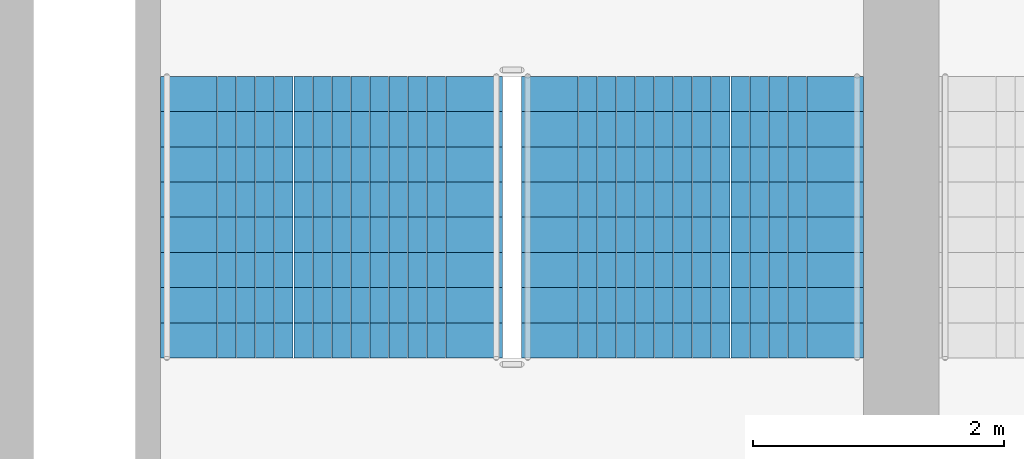
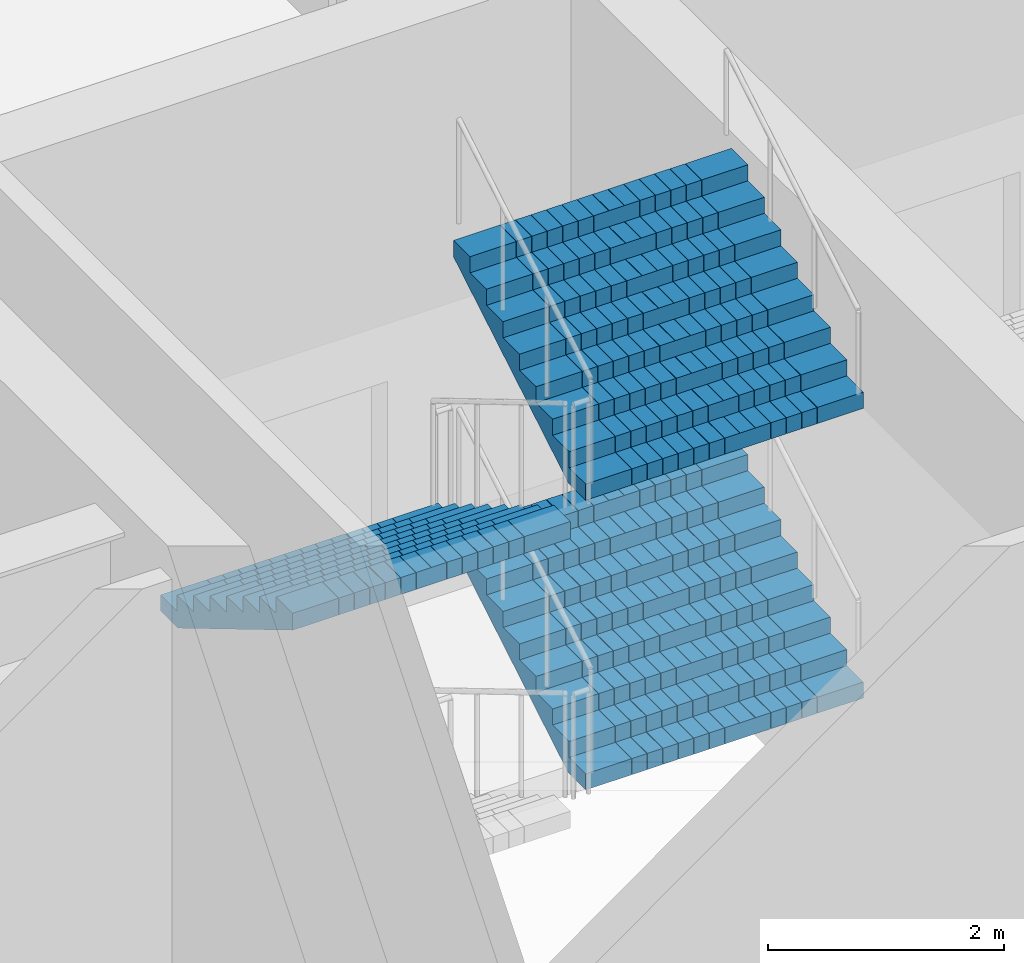
# One storey, part 24 of 41: 3 stair flights, 1 element without a shape of its own.
"""IFC4 building model written with IfcOpenShell, lengths in metres."""

from ifc_helpers import new_model, si_unit, direction, frame, origin, place, context, subcontext, project, spatial, polyline, outline, extrude, material, type_object, element, aggregate, save


model = new_model("IFC4")

# Units and contexts
model_context = context("Model", 3, precision=1e-05, world=origin(), true_north=direction((0.0, 1.0)))
body_context = subcontext(model_context, "Body", "Model", "MODEL_VIEW")
ifc_project = project(units=[si_unit("LENGTHUNIT", "METRE"), si_unit("AREAUNIT", "SQUARE_METRE"), si_unit("VOLUMEUNIT", "CUBIC_METRE"), si_unit("PLANEANGLEUNIT", "RADIAN"), si_unit("MASSUNIT", "GRAM", prefix="KILO")], contexts=[model_context])

# Site, building, storey
site_placement = place(None, origin())
site = spatial("IfcSite", under=ifc_project, at=site_placement, CompositionType="ELEMENT")
building_placement = place(site_placement, origin())
building = spatial("IfcBuilding", under=site, at=building_placement, Name="Corbelhall Arena Tower", CompositionType="ELEMENT")
storey_placement = place(building_placement, frame((0.0, 0.0, 19.0)))
storey = spatial("IfcBuildingStorey", under=building, at=storey_placement, Name="L02", CompositionType="ELEMENT", Elevation=19.0)

# Stair, stair flights
ifc_material = material(Name="Reinforced concrete C40/50", Category="concrete")
stair_type = type_object("IfcStairType", Name="AR-EXIT-STAIR", PredefinedType="HALF_TURN_STAIR", material=ifc_material)
stair_placement = place(storey_placement, origin())
stair = element("IfcStair", 1, at=stair_placement, inside=storey, type_object=stair_type, Name="L02 exit stair AS5", PredefinedType="HALF_TURN_STAIR")
stair_flight_type = type_object("IfcStairFlightType", Name="AR-EXIT-FLIGHT", PredefinedType="STRAIGHT", material=ifc_material)
stair_flight_1_placement = place(storey_placement, frame((38.840087890625, -29.56005859375, 1.5), z_axis=(0.0, 0.0, 1.0), x_axis=(0.0, 1.0, 0.0)))
stair_flight_1 = element("IfcStairFlight", 2, at=stair_flight_1_placement, type_object=stair_flight_type, Name="AS5 flight 2", NumberOfRisers=9, NumberOfTreads=8, PredefinedType="STRAIGHT", RiserHeight=0.166666667, TreadLength=0.28, context=body_context, shape_type="SweptSolid", body=[
    extrude(outline(polyline([(0.0, 0.0), (0.0, 0.166748046875), (0.280029296875, 0.166748046875), (0.280029296875, 0.333251953125), (0.56005859375, 0.333251953125), (0.56005859375, 0.5), (0.840087890625, 0.5), (0.840087890625, 0.666748046875), (1.1201171875, 0.666748046875), (1.1201171875, 0.833251953125), (1.39990234375, 0.833251953125), (1.39990234375, 1.0), (1.679931640625, 1.0), (1.679931640625, 1.166748046875), (1.9599609375, 1.166748046875), (1.9599609375, 1.333251953125), (2.239990234375, 1.333251953125), (2.239990234375, 1.5), (2.239990234375, 1.158935546875), (0.29296875, 0.0), (0.0, 0.0)])), frame((0.0, 1.35986328125, 0.0), z_axis=(0.0, -1.0, 0.0), x_axis=(1.0, 0.0, 0.0)), (0.0, 0.0, 1.0), 0.449951171875),
    extrude(outline(polyline([(0.0, 0.0), (0.0, 0.166748046875), (0.280029296875, 0.166748046875), (0.280029296875, 0.333251953125), (0.56005859375, 0.333251953125), (0.56005859375, 0.5), (0.840087890625, 0.5), (0.840087890625, 0.666748046875), (1.1201171875, 0.666748046875), (1.1201171875, 0.833251953125), (1.39990234375, 0.833251953125), (1.39990234375, 1.0), (1.679931640625, 1.0), (1.679931640625, 1.166748046875), (1.9599609375, 1.166748046875), (1.9599609375, 1.333251953125), (2.239990234375, 1.333251953125), (2.239990234375, 1.5), (2.239990234375, 1.158935546875), (0.29296875, 0.0), (0.0, 0.0)])), frame((0.0, 0.906005859375, 0.0), z_axis=(0.0, -1.0, 0.0), x_axis=(1.0, 0.0, 0.0)), (0.0, 0.0, 1.0), 0.147216796875),
    extrude(outline(polyline([(0.0, 0.0), (0.0, 0.166748046875), (0.280029296875, 0.166748046875), (0.280029296875, 0.333251953125), (0.56005859375, 0.333251953125), (0.56005859375, 0.5), (0.840087890625, 0.5), (0.840087890625, 0.666748046875), (1.1201171875, 0.666748046875), (1.1201171875, 0.833251953125), (1.39990234375, 0.833251953125), (1.39990234375, 1.0), (1.679931640625, 1.0), (1.679931640625, 1.166748046875), (1.9599609375, 1.166748046875), (1.9599609375, 1.333251953125), (2.239990234375, 1.333251953125), (2.239990234375, 1.5), (2.239990234375, 1.158935546875), (0.29296875, 0.0), (0.0, 0.0)])), frame((0.0, 0.754638671875, 0.0), z_axis=(0.0, -1.0, 0.0), x_axis=(1.0, 0.0, 0.0)), (0.0, 0.0, 1.0), 0.147216796875),
    extrude(outline(polyline([(0.0, 0.0), (0.0, 0.166748046875), (0.280029296875, 0.166748046875), (0.280029296875, 0.333251953125), (0.56005859375, 0.333251953125), (0.56005859375, 0.5), (0.840087890625, 0.5), (0.840087890625, 0.666748046875), (1.1201171875, 0.666748046875), (1.1201171875, 0.833251953125), (1.39990234375, 0.833251953125), (1.39990234375, 1.0), (1.679931640625, 1.0), (1.679931640625, 1.166748046875), (1.9599609375, 1.166748046875), (1.9599609375, 1.333251953125), (2.239990234375, 1.333251953125), (2.239990234375, 1.5), (2.239990234375, 1.158935546875), (0.29296875, 0.0), (0.0, 0.0)])), frame((0.0, 0.603271484375, 0.0), z_axis=(0.0, -1.0, 0.0), x_axis=(1.0, 0.0, 0.0)), (0.0, 0.0, 1.0), 0.147216796875),
    extrude(outline(polyline([(0.0, 0.0), (0.0, 0.166748046875), (0.280029296875, 0.166748046875), (0.280029296875, 0.333251953125), (0.56005859375, 0.333251953125), (0.56005859375, 0.5), (0.840087890625, 0.5), (0.840087890625, 0.666748046875), (1.1201171875, 0.666748046875), (1.1201171875, 0.833251953125), (1.39990234375, 0.833251953125), (1.39990234375, 1.0), (1.679931640625, 1.0), (1.679931640625, 1.166748046875), (1.9599609375, 1.166748046875), (1.9599609375, 1.333251953125), (2.239990234375, 1.333251953125), (2.239990234375, 1.5), (2.239990234375, 1.158935546875), (0.29296875, 0.0), (0.0, 0.0)])), frame((0.0, 0.451904296875, 0.0), z_axis=(0.0, -1.0, 0.0), x_axis=(1.0, 0.0, 0.0)), (0.0, 0.0, 1.0), 0.147216796875),
    extrude(outline(polyline([(0.0, 0.0), (0.0, 0.166748046875), (0.280029296875, 0.166748046875), (0.280029296875, 0.333251953125), (0.56005859375, 0.333251953125), (0.56005859375, 0.5), (0.840087890625, 0.5), (0.840087890625, 0.666748046875), (1.1201171875, 0.666748046875), (1.1201171875, 0.833251953125), (1.39990234375, 0.833251953125), (1.39990234375, 1.0), (1.679931640625, 1.0), (1.679931640625, 1.166748046875), (1.9599609375, 1.166748046875), (1.9599609375, 1.333251953125), (2.239990234375, 1.333251953125), (2.239990234375, 1.5), (2.239990234375, 1.158935546875), (0.29296875, 0.0), (0.0, 0.0)])), frame((0.0, 0.30078125, 0.0), z_axis=(0.0, -1.0, 0.0), x_axis=(1.0, 0.0, 0.0)), (0.0, 0.0, 1.0), 0.147216796875),
    extrude(outline(polyline([(0.0, 0.0), (0.0, 0.166748046875), (0.280029296875, 0.166748046875), (0.280029296875, 0.333251953125), (0.56005859375, 0.333251953125), (0.56005859375, 0.5), (0.840087890625, 0.5), (0.840087890625, 0.666748046875), (1.1201171875, 0.666748046875), (1.1201171875, 0.833251953125), (1.39990234375, 0.833251953125), (1.39990234375, 1.0), (1.679931640625, 1.0), (1.679931640625, 1.166748046875), (1.9599609375, 1.166748046875), (1.9599609375, 1.333251953125), (2.239990234375, 1.333251953125), (2.239990234375, 1.5), (2.239990234375, 1.158935546875), (0.29296875, 0.0), (0.0, 0.0)])), frame((0.0, 0.1494140625, 0.0), z_axis=(0.0, -1.0, 0.0), x_axis=(1.0, 0.0, 0.0)), (0.0, 0.0, 1.0), 0.147216796875),
    extrude(outline(polyline([(0.0, 0.0), (0.0, 0.166748046875), (0.280029296875, 0.166748046875), (0.280029296875, 0.333251953125), (0.56005859375, 0.333251953125), (0.56005859375, 0.5), (0.840087890625, 0.5), (0.840087890625, 0.666748046875), (1.1201171875, 0.666748046875), (1.1201171875, 0.833251953125), (1.39990234375, 0.833251953125), (1.39990234375, 1.0), (1.679931640625, 1.0), (1.679931640625, 1.166748046875), (1.9599609375, 1.166748046875), (1.9599609375, 1.333251953125), (2.239990234375, 1.333251953125), (2.239990234375, 1.5), (2.239990234375, 1.158935546875), (0.29296875, 0.0), (0.0, 0.0)])), frame((0.0, -0.001953125, 0.0), z_axis=(0.0, -1.0, 0.0), x_axis=(1.0, 0.0, 0.0)), (0.0, 0.0, 1.0), 0.147216796875),
    extrude(outline(polyline([(0.0, 0.0), (0.0, 0.166748046875), (0.280029296875, 0.166748046875), (0.280029296875, 0.333251953125), (0.56005859375, 0.333251953125), (0.56005859375, 0.5), (0.840087890625, 0.5), (0.840087890625, 0.666748046875), (1.1201171875, 0.666748046875), (1.1201171875, 0.833251953125), (1.39990234375, 0.833251953125), (1.39990234375, 1.0), (1.679931640625, 1.0), (1.679931640625, 1.166748046875), (1.9599609375, 1.166748046875), (1.9599609375, 1.333251953125), (2.239990234375, 1.333251953125), (2.239990234375, 1.5), (2.239990234375, 1.158935546875), (0.29296875, 0.0), (0.0, 0.0)])), frame((0.0, -0.1533203125, 0.0), z_axis=(0.0, -1.0, 0.0), x_axis=(1.0, 0.0, 0.0)), (0.0, 0.0, 1.0), 0.147216796875),
    extrude(outline(polyline([(0.0, 0.0), (0.0, 0.166748046875), (0.280029296875, 0.166748046875), (0.280029296875, 0.333251953125), (0.56005859375, 0.333251953125), (0.56005859375, 0.5), (0.840087890625, 0.5), (0.840087890625, 0.666748046875), (1.1201171875, 0.666748046875), (1.1201171875, 0.833251953125), (1.39990234375, 0.833251953125), (1.39990234375, 1.0), (1.679931640625, 1.0), (1.679931640625, 1.166748046875), (1.9599609375, 1.166748046875), (1.9599609375, 1.333251953125), (2.239990234375, 1.333251953125), (2.239990234375, 1.5), (2.239990234375, 1.158935546875), (0.29296875, 0.0), (0.0, 0.0)])), frame((0.0, -0.3046875, 0.0), z_axis=(0.0, -1.0, 0.0), x_axis=(1.0, 0.0, 0.0)), (0.0, 0.0, 1.0), 0.147216796875),
    extrude(outline(polyline([(0.0, 0.0), (0.0, 0.166748046875), (0.280029296875, 0.166748046875), (0.280029296875, 0.333251953125), (0.56005859375, 0.333251953125), (0.56005859375, 0.5), (0.840087890625, 0.5), (0.840087890625, 0.666748046875), (1.1201171875, 0.666748046875), (1.1201171875, 0.833251953125), (1.39990234375, 0.833251953125), (1.39990234375, 1.0), (1.679931640625, 1.0), (1.679931640625, 1.166748046875), (1.9599609375, 1.166748046875), (1.9599609375, 1.333251953125), (2.239990234375, 1.333251953125), (2.239990234375, 1.5), (2.239990234375, 1.158935546875), (0.29296875, 0.0), (0.0, 0.0)])), frame((0.0, -0.4560546875, 0.0), z_axis=(0.0, -1.0, 0.0), x_axis=(1.0, 0.0, 0.0)), (0.0, 0.0, 1.0), 0.147216796875),
    extrude(outline(polyline([(0.0, 0.0), (0.0, 0.166748046875), (0.280029296875, 0.166748046875), (0.280029296875, 0.333251953125), (0.56005859375, 0.333251953125), (0.56005859375, 0.5), (0.840087890625, 0.5), (0.840087890625, 0.666748046875), (1.1201171875, 0.666748046875), (1.1201171875, 0.833251953125), (1.39990234375, 0.833251953125), (1.39990234375, 1.0), (1.679931640625, 1.0), (1.679931640625, 1.166748046875), (1.9599609375, 1.166748046875), (1.9599609375, 1.333251953125), (2.239990234375, 1.333251953125), (2.239990234375, 1.5), (2.239990234375, 1.158935546875), (0.29296875, 0.0), (0.0, 0.0)])), frame((0.0, -0.607421875, 0.0), z_axis=(0.0, -1.0, 0.0), x_axis=(1.0, 0.0, 0.0)), (0.0, 0.0, 1.0), 0.147216796875),
    extrude(outline(polyline([(0.0, 0.0), (0.0, 0.166748046875), (0.280029296875, 0.166748046875), (0.280029296875, 0.333251953125), (0.56005859375, 0.333251953125), (0.56005859375, 0.5), (0.840087890625, 0.5), (0.840087890625, 0.666748046875), (1.1201171875, 0.666748046875), (1.1201171875, 0.833251953125), (1.39990234375, 0.833251953125), (1.39990234375, 1.0), (1.679931640625, 1.0), (1.679931640625, 1.166748046875), (1.9599609375, 1.166748046875), (1.9599609375, 1.333251953125), (2.239990234375, 1.333251953125), (2.239990234375, 1.5), (2.239990234375, 1.158935546875), (0.29296875, 0.0), (0.0, 0.0)])), frame((0.0, -0.758544921875, 0.0), z_axis=(0.0, -1.0, 0.0), x_axis=(1.0, 0.0, 0.0)), (0.0, 0.0, 1.0), 0.147216796875),
    extrude(outline(polyline([(0.0, 0.0), (0.0, 0.166748046875), (0.280029296875, 0.166748046875), (0.280029296875, 0.333251953125), (0.56005859375, 0.333251953125), (0.56005859375, 0.5), (0.840087890625, 0.5), (0.840087890625, 0.666748046875), (1.1201171875, 0.666748046875), (1.1201171875, 0.833251953125), (1.39990234375, 0.833251953125), (1.39990234375, 1.0), (1.679931640625, 1.0), (1.679931640625, 1.166748046875), (1.9599609375, 1.166748046875), (1.9599609375, 1.333251953125), (2.239990234375, 1.333251953125), (2.239990234375, 1.5), (2.239990234375, 1.158935546875), (0.29296875, 0.0), (0.0, 0.0)])), frame((0.0, -0.909912109375, 0.0), z_axis=(0.0, -1.0, 0.0), x_axis=(1.0, 0.0, 0.0)), (0.0, 0.0, 1.0), 0.449951171875),
])
stair_flight_2_placement = place(storey_placement, frame((35.969970703125, -27.320068359375, 3.0), z_axis=(0.0, 0.0, 1.0), x_axis=(0.0, -1.0, 0.0)))
stair_flight_2 = element("IfcStairFlight", 3, at=stair_flight_2_placement, type_object=stair_flight_type, Name="AS5 flight 3", NumberOfRisers=9, NumberOfTreads=8, PredefinedType="STRAIGHT", RiserHeight=0.166666667, TreadLength=0.28, context=body_context, shape_type="SweptSolid", body=[
    extrude(outline(polyline([(0.0, 0.0), (0.0, 0.166748046875), (0.280029296875, 0.166748046875), (0.280029296875, 0.333251953125), (0.56005859375, 0.333251953125), (0.56005859375, 0.5), (0.840087890625, 0.5), (0.840087890625, 0.666748046875), (1.1201171875, 0.666748046875), (1.1201171875, 0.833251953125), (1.39990234375, 0.833251953125), (1.39990234375, 1.0), (1.679931640625, 1.0), (1.679931640625, 1.166748046875), (1.9599609375, 1.166748046875), (1.9599609375, 1.333251953125), (2.239990234375, 1.333251953125), (2.239990234375, 1.5), (2.239990234375, 1.158935546875), (0.29296875, 0.0), (0.0, 0.0)])), frame((0.0, 1.35986328125, 0.0), z_axis=(0.0, -1.0, 0.0), x_axis=(1.0, 0.0, 0.0)), (0.0, 0.0, 1.0), 0.449951171875),
    extrude(outline(polyline([(0.0, 0.0), (0.0, 0.166748046875), (0.280029296875, 0.166748046875), (0.280029296875, 0.333251953125), (0.56005859375, 0.333251953125), (0.56005859375, 0.5), (0.840087890625, 0.5), (0.840087890625, 0.666748046875), (1.1201171875, 0.666748046875), (1.1201171875, 0.833251953125), (1.39990234375, 0.833251953125), (1.39990234375, 1.0), (1.679931640625, 1.0), (1.679931640625, 1.166748046875), (1.9599609375, 1.166748046875), (1.9599609375, 1.333251953125), (2.239990234375, 1.333251953125), (2.239990234375, 1.5), (2.239990234375, 1.158935546875), (0.29296875, 0.0), (0.0, 0.0)])), frame((0.0, 0.906005859375, 0.0), z_axis=(0.0, -1.0, 0.0), x_axis=(1.0, 0.0, 0.0)), (0.0, 0.0, 1.0), 0.147216796875),
    extrude(outline(polyline([(0.0, 0.0), (0.0, 0.166748046875), (0.280029296875, 0.166748046875), (0.280029296875, 0.333251953125), (0.56005859375, 0.333251953125), (0.56005859375, 0.5), (0.840087890625, 0.5), (0.840087890625, 0.666748046875), (1.1201171875, 0.666748046875), (1.1201171875, 0.833251953125), (1.39990234375, 0.833251953125), (1.39990234375, 1.0), (1.679931640625, 1.0), (1.679931640625, 1.166748046875), (1.9599609375, 1.166748046875), (1.9599609375, 1.333251953125), (2.239990234375, 1.333251953125), (2.239990234375, 1.5), (2.239990234375, 1.158935546875), (0.29296875, 0.0), (0.0, 0.0)])), frame((0.0, 0.754638671875, 0.0), z_axis=(0.0, -1.0, 0.0), x_axis=(1.0, 0.0, 0.0)), (0.0, 0.0, 1.0), 0.147216796875),
    extrude(outline(polyline([(0.0, 0.0), (0.0, 0.166748046875), (0.280029296875, 0.166748046875), (0.280029296875, 0.333251953125), (0.56005859375, 0.333251953125), (0.56005859375, 0.5), (0.840087890625, 0.5), (0.840087890625, 0.666748046875), (1.1201171875, 0.666748046875), (1.1201171875, 0.833251953125), (1.39990234375, 0.833251953125), (1.39990234375, 1.0), (1.679931640625, 1.0), (1.679931640625, 1.166748046875), (1.9599609375, 1.166748046875), (1.9599609375, 1.333251953125), (2.239990234375, 1.333251953125), (2.239990234375, 1.5), (2.239990234375, 1.158935546875), (0.29296875, 0.0), (0.0, 0.0)])), frame((0.0, 0.603271484375, 0.0), z_axis=(0.0, -1.0, 0.0), x_axis=(1.0, 0.0, 0.0)), (0.0, 0.0, 1.0), 0.147216796875),
    extrude(outline(polyline([(0.0, 0.0), (0.0, 0.166748046875), (0.280029296875, 0.166748046875), (0.280029296875, 0.333251953125), (0.56005859375, 0.333251953125), (0.56005859375, 0.5), (0.840087890625, 0.5), (0.840087890625, 0.666748046875), (1.1201171875, 0.666748046875), (1.1201171875, 0.833251953125), (1.39990234375, 0.833251953125), (1.39990234375, 1.0), (1.679931640625, 1.0), (1.679931640625, 1.166748046875), (1.9599609375, 1.166748046875), (1.9599609375, 1.333251953125), (2.239990234375, 1.333251953125), (2.239990234375, 1.5), (2.239990234375, 1.158935546875), (0.29296875, 0.0), (0.0, 0.0)])), frame((0.0, 0.451904296875, 0.0), z_axis=(0.0, -1.0, 0.0), x_axis=(1.0, 0.0, 0.0)), (0.0, 0.0, 1.0), 0.147216796875),
    extrude(outline(polyline([(0.0, 0.0), (0.0, 0.166748046875), (0.280029296875, 0.166748046875), (0.280029296875, 0.333251953125), (0.56005859375, 0.333251953125), (0.56005859375, 0.5), (0.840087890625, 0.5), (0.840087890625, 0.666748046875), (1.1201171875, 0.666748046875), (1.1201171875, 0.833251953125), (1.39990234375, 0.833251953125), (1.39990234375, 1.0), (1.679931640625, 1.0), (1.679931640625, 1.166748046875), (1.9599609375, 1.166748046875), (1.9599609375, 1.333251953125), (2.239990234375, 1.333251953125), (2.239990234375, 1.5), (2.239990234375, 1.158935546875), (0.29296875, 0.0), (0.0, 0.0)])), frame((0.0, 0.30078125, 0.0), z_axis=(0.0, -1.0, 0.0), x_axis=(1.0, 0.0, 0.0)), (0.0, 0.0, 1.0), 0.147216796875),
    extrude(outline(polyline([(0.0, 0.0), (0.0, 0.166748046875), (0.280029296875, 0.166748046875), (0.280029296875, 0.333251953125), (0.56005859375, 0.333251953125), (0.56005859375, 0.5), (0.840087890625, 0.5), (0.840087890625, 0.666748046875), (1.1201171875, 0.666748046875), (1.1201171875, 0.833251953125), (1.39990234375, 0.833251953125), (1.39990234375, 1.0), (1.679931640625, 1.0), (1.679931640625, 1.166748046875), (1.9599609375, 1.166748046875), (1.9599609375, 1.333251953125), (2.239990234375, 1.333251953125), (2.239990234375, 1.5), (2.239990234375, 1.158935546875), (0.29296875, 0.0), (0.0, 0.0)])), frame((0.0, 0.1494140625, 0.0), z_axis=(0.0, -1.0, 0.0), x_axis=(1.0, 0.0, 0.0)), (0.0, 0.0, 1.0), 0.147216796875),
    extrude(outline(polyline([(0.0, 0.0), (0.0, 0.166748046875), (0.280029296875, 0.166748046875), (0.280029296875, 0.333251953125), (0.56005859375, 0.333251953125), (0.56005859375, 0.5), (0.840087890625, 0.5), (0.840087890625, 0.666748046875), (1.1201171875, 0.666748046875), (1.1201171875, 0.833251953125), (1.39990234375, 0.833251953125), (1.39990234375, 1.0), (1.679931640625, 1.0), (1.679931640625, 1.166748046875), (1.9599609375, 1.166748046875), (1.9599609375, 1.333251953125), (2.239990234375, 1.333251953125), (2.239990234375, 1.5), (2.239990234375, 1.158935546875), (0.29296875, 0.0), (0.0, 0.0)])), frame((0.0, -0.001953125, 0.0), z_axis=(0.0, -1.0, 0.0), x_axis=(1.0, 0.0, 0.0)), (0.0, 0.0, 1.0), 0.147216796875),
    extrude(outline(polyline([(0.0, 0.0), (0.0, 0.166748046875), (0.280029296875, 0.166748046875), (0.280029296875, 0.333251953125), (0.56005859375, 0.333251953125), (0.56005859375, 0.5), (0.840087890625, 0.5), (0.840087890625, 0.666748046875), (1.1201171875, 0.666748046875), (1.1201171875, 0.833251953125), (1.39990234375, 0.833251953125), (1.39990234375, 1.0), (1.679931640625, 1.0), (1.679931640625, 1.166748046875), (1.9599609375, 1.166748046875), (1.9599609375, 1.333251953125), (2.239990234375, 1.333251953125), (2.239990234375, 1.5), (2.239990234375, 1.158935546875), (0.29296875, 0.0), (0.0, 0.0)])), frame((0.0, -0.1533203125, 0.0), z_axis=(0.0, -1.0, 0.0), x_axis=(1.0, 0.0, 0.0)), (0.0, 0.0, 1.0), 0.147216796875),
    extrude(outline(polyline([(0.0, 0.0), (0.0, 0.166748046875), (0.280029296875, 0.166748046875), (0.280029296875, 0.333251953125), (0.56005859375, 0.333251953125), (0.56005859375, 0.5), (0.840087890625, 0.5), (0.840087890625, 0.666748046875), (1.1201171875, 0.666748046875), (1.1201171875, 0.833251953125), (1.39990234375, 0.833251953125), (1.39990234375, 1.0), (1.679931640625, 1.0), (1.679931640625, 1.166748046875), (1.9599609375, 1.166748046875), (1.9599609375, 1.333251953125), (2.239990234375, 1.333251953125), (2.239990234375, 1.5), (2.239990234375, 1.158935546875), (0.29296875, 0.0), (0.0, 0.0)])), frame((0.0, -0.3046875, 0.0), z_axis=(0.0, -1.0, 0.0), x_axis=(1.0, 0.0, 0.0)), (0.0, 0.0, 1.0), 0.147216796875),
    extrude(outline(polyline([(0.0, 0.0), (0.0, 0.166748046875), (0.280029296875, 0.166748046875), (0.280029296875, 0.333251953125), (0.56005859375, 0.333251953125), (0.56005859375, 0.5), (0.840087890625, 0.5), (0.840087890625, 0.666748046875), (1.1201171875, 0.666748046875), (1.1201171875, 0.833251953125), (1.39990234375, 0.833251953125), (1.39990234375, 1.0), (1.679931640625, 1.0), (1.679931640625, 1.166748046875), (1.9599609375, 1.166748046875), (1.9599609375, 1.333251953125), (2.239990234375, 1.333251953125), (2.239990234375, 1.5), (2.239990234375, 1.158935546875), (0.29296875, 0.0), (0.0, 0.0)])), frame((0.0, -0.4560546875, 0.0), z_axis=(0.0, -1.0, 0.0), x_axis=(1.0, 0.0, 0.0)), (0.0, 0.0, 1.0), 0.147216796875),
    extrude(outline(polyline([(0.0, 0.0), (0.0, 0.166748046875), (0.280029296875, 0.166748046875), (0.280029296875, 0.333251953125), (0.56005859375, 0.333251953125), (0.56005859375, 0.5), (0.840087890625, 0.5), (0.840087890625, 0.666748046875), (1.1201171875, 0.666748046875), (1.1201171875, 0.833251953125), (1.39990234375, 0.833251953125), (1.39990234375, 1.0), (1.679931640625, 1.0), (1.679931640625, 1.166748046875), (1.9599609375, 1.166748046875), (1.9599609375, 1.333251953125), (2.239990234375, 1.333251953125), (2.239990234375, 1.5), (2.239990234375, 1.158935546875), (0.29296875, 0.0), (0.0, 0.0)])), frame((0.0, -0.607421875, 0.0), z_axis=(0.0, -1.0, 0.0), x_axis=(1.0, 0.0, 0.0)), (0.0, 0.0, 1.0), 0.147216796875),
    extrude(outline(polyline([(0.0, 0.0), (0.0, 0.166748046875), (0.280029296875, 0.166748046875), (0.280029296875, 0.333251953125), (0.56005859375, 0.333251953125), (0.56005859375, 0.5), (0.840087890625, 0.5), (0.840087890625, 0.666748046875), (1.1201171875, 0.666748046875), (1.1201171875, 0.833251953125), (1.39990234375, 0.833251953125), (1.39990234375, 1.0), (1.679931640625, 1.0), (1.679931640625, 1.166748046875), (1.9599609375, 1.166748046875), (1.9599609375, 1.333251953125), (2.239990234375, 1.333251953125), (2.239990234375, 1.5), (2.239990234375, 1.158935546875), (0.29296875, 0.0), (0.0, 0.0)])), frame((0.0, -0.758544921875, 0.0), z_axis=(0.0, -1.0, 0.0), x_axis=(1.0, 0.0, 0.0)), (0.0, 0.0, 1.0), 0.147216796875),
    extrude(outline(polyline([(0.0, 0.0), (0.0, 0.166748046875), (0.280029296875, 0.166748046875), (0.280029296875, 0.333251953125), (0.56005859375, 0.333251953125), (0.56005859375, 0.5), (0.840087890625, 0.5), (0.840087890625, 0.666748046875), (1.1201171875, 0.666748046875), (1.1201171875, 0.833251953125), (1.39990234375, 0.833251953125), (1.39990234375, 1.0), (1.679931640625, 1.0), (1.679931640625, 1.166748046875), (1.9599609375, 1.166748046875), (1.9599609375, 1.333251953125), (2.239990234375, 1.333251953125), (2.239990234375, 1.5), (2.239990234375, 1.158935546875), (0.29296875, 0.0), (0.0, 0.0)])), frame((0.0, -0.909912109375, 0.0), z_axis=(0.0, -1.0, 0.0), x_axis=(1.0, 0.0, 0.0)), (0.0, 0.0, 1.0), 0.449951171875),
])
stair_flight_3_placement = place(storey_placement, frame((38.840087890625, -29.56005859375, 4.5), z_axis=(0.0, 0.0, 1.0), x_axis=(0.0, 1.0, 0.0)))
stair_flight_3 = element("IfcStairFlight", 4, at=stair_flight_3_placement, type_object=stair_flight_type, Name="AS5 flight 4", NumberOfRisers=9, NumberOfTreads=8, PredefinedType="STRAIGHT", RiserHeight=0.166666667, TreadLength=0.28, context=body_context, shape_type="SweptSolid", body=[
    extrude(outline(polyline([(0.0, 0.0), (0.0, 0.166748046875), (0.280029296875, 0.166748046875), (0.280029296875, 0.333251953125), (0.56005859375, 0.333251953125), (0.56005859375, 0.5), (0.840087890625, 0.5), (0.840087890625, 0.666748046875), (1.1201171875, 0.666748046875), (1.1201171875, 0.833251953125), (1.39990234375, 0.833251953125), (1.39990234375, 1.0), (1.679931640625, 1.0), (1.679931640625, 1.166748046875), (1.9599609375, 1.166748046875), (1.9599609375, 1.333251953125), (2.239990234375, 1.333251953125), (2.239990234375, 1.5), (2.239990234375, 1.158935546875), (0.29296875, 0.0), (0.0, 0.0)])), frame((0.0, 1.35986328125, 0.0), z_axis=(0.0, -1.0, 0.0), x_axis=(1.0, 0.0, 0.0)), (0.0, 0.0, 1.0), 0.449951171875),
    extrude(outline(polyline([(0.0, 0.0), (0.0, 0.166748046875), (0.280029296875, 0.166748046875), (0.280029296875, 0.333251953125), (0.56005859375, 0.333251953125), (0.56005859375, 0.5), (0.840087890625, 0.5), (0.840087890625, 0.666748046875), (1.1201171875, 0.666748046875), (1.1201171875, 0.833251953125), (1.39990234375, 0.833251953125), (1.39990234375, 1.0), (1.679931640625, 1.0), (1.679931640625, 1.166748046875), (1.9599609375, 1.166748046875), (1.9599609375, 1.333251953125), (2.239990234375, 1.333251953125), (2.239990234375, 1.5), (2.239990234375, 1.158935546875), (0.29296875, 0.0), (0.0, 0.0)])), frame((0.0, 0.906005859375, 0.0), z_axis=(0.0, -1.0, 0.0), x_axis=(1.0, 0.0, 0.0)), (0.0, 0.0, 1.0), 0.147216796875),
    extrude(outline(polyline([(0.0, 0.0), (0.0, 0.166748046875), (0.280029296875, 0.166748046875), (0.280029296875, 0.333251953125), (0.56005859375, 0.333251953125), (0.56005859375, 0.5), (0.840087890625, 0.5), (0.840087890625, 0.666748046875), (1.1201171875, 0.666748046875), (1.1201171875, 0.833251953125), (1.39990234375, 0.833251953125), (1.39990234375, 1.0), (1.679931640625, 1.0), (1.679931640625, 1.166748046875), (1.9599609375, 1.166748046875), (1.9599609375, 1.333251953125), (2.239990234375, 1.333251953125), (2.239990234375, 1.5), (2.239990234375, 1.158935546875), (0.29296875, 0.0), (0.0, 0.0)])), frame((0.0, 0.754638671875, 0.0), z_axis=(0.0, -1.0, 0.0), x_axis=(1.0, 0.0, 0.0)), (0.0, 0.0, 1.0), 0.147216796875),
    extrude(outline(polyline([(0.0, 0.0), (0.0, 0.166748046875), (0.280029296875, 0.166748046875), (0.280029296875, 0.333251953125), (0.56005859375, 0.333251953125), (0.56005859375, 0.5), (0.840087890625, 0.5), (0.840087890625, 0.666748046875), (1.1201171875, 0.666748046875), (1.1201171875, 0.833251953125), (1.39990234375, 0.833251953125), (1.39990234375, 1.0), (1.679931640625, 1.0), (1.679931640625, 1.166748046875), (1.9599609375, 1.166748046875), (1.9599609375, 1.333251953125), (2.239990234375, 1.333251953125), (2.239990234375, 1.5), (2.239990234375, 1.158935546875), (0.29296875, 0.0), (0.0, 0.0)])), frame((0.0, 0.603271484375, 0.0), z_axis=(0.0, -1.0, 0.0), x_axis=(1.0, 0.0, 0.0)), (0.0, 0.0, 1.0), 0.147216796875),
    extrude(outline(polyline([(0.0, 0.0), (0.0, 0.166748046875), (0.280029296875, 0.166748046875), (0.280029296875, 0.333251953125), (0.56005859375, 0.333251953125), (0.56005859375, 0.5), (0.840087890625, 0.5), (0.840087890625, 0.666748046875), (1.1201171875, 0.666748046875), (1.1201171875, 0.833251953125), (1.39990234375, 0.833251953125), (1.39990234375, 1.0), (1.679931640625, 1.0), (1.679931640625, 1.166748046875), (1.9599609375, 1.166748046875), (1.9599609375, 1.333251953125), (2.239990234375, 1.333251953125), (2.239990234375, 1.5), (2.239990234375, 1.158935546875), (0.29296875, 0.0), (0.0, 0.0)])), frame((0.0, 0.451904296875, 0.0), z_axis=(0.0, -1.0, 0.0), x_axis=(1.0, 0.0, 0.0)), (0.0, 0.0, 1.0), 0.147216796875),
    extrude(outline(polyline([(0.0, 0.0), (0.0, 0.166748046875), (0.280029296875, 0.166748046875), (0.280029296875, 0.333251953125), (0.56005859375, 0.333251953125), (0.56005859375, 0.5), (0.840087890625, 0.5), (0.840087890625, 0.666748046875), (1.1201171875, 0.666748046875), (1.1201171875, 0.833251953125), (1.39990234375, 0.833251953125), (1.39990234375, 1.0), (1.679931640625, 1.0), (1.679931640625, 1.166748046875), (1.9599609375, 1.166748046875), (1.9599609375, 1.333251953125), (2.239990234375, 1.333251953125), (2.239990234375, 1.5), (2.239990234375, 1.158935546875), (0.29296875, 0.0), (0.0, 0.0)])), frame((0.0, 0.30078125, 0.0), z_axis=(0.0, -1.0, 0.0), x_axis=(1.0, 0.0, 0.0)), (0.0, 0.0, 1.0), 0.147216796875),
    extrude(outline(polyline([(0.0, 0.0), (0.0, 0.166748046875), (0.280029296875, 0.166748046875), (0.280029296875, 0.333251953125), (0.56005859375, 0.333251953125), (0.56005859375, 0.5), (0.840087890625, 0.5), (0.840087890625, 0.666748046875), (1.1201171875, 0.666748046875), (1.1201171875, 0.833251953125), (1.39990234375, 0.833251953125), (1.39990234375, 1.0), (1.679931640625, 1.0), (1.679931640625, 1.166748046875), (1.9599609375, 1.166748046875), (1.9599609375, 1.333251953125), (2.239990234375, 1.333251953125), (2.239990234375, 1.5), (2.239990234375, 1.158935546875), (0.29296875, 0.0), (0.0, 0.0)])), frame((0.0, 0.1494140625, 0.0), z_axis=(0.0, -1.0, 0.0), x_axis=(1.0, 0.0, 0.0)), (0.0, 0.0, 1.0), 0.147216796875),
    extrude(outline(polyline([(0.0, 0.0), (0.0, 0.166748046875), (0.280029296875, 0.166748046875), (0.280029296875, 0.333251953125), (0.56005859375, 0.333251953125), (0.56005859375, 0.5), (0.840087890625, 0.5), (0.840087890625, 0.666748046875), (1.1201171875, 0.666748046875), (1.1201171875, 0.833251953125), (1.39990234375, 0.833251953125), (1.39990234375, 1.0), (1.679931640625, 1.0), (1.679931640625, 1.166748046875), (1.9599609375, 1.166748046875), (1.9599609375, 1.333251953125), (2.239990234375, 1.333251953125), (2.239990234375, 1.5), (2.239990234375, 1.158935546875), (0.29296875, 0.0), (0.0, 0.0)])), frame((0.0, -0.001953125, 0.0), z_axis=(0.0, -1.0, 0.0), x_axis=(1.0, 0.0, 0.0)), (0.0, 0.0, 1.0), 0.147216796875),
    extrude(outline(polyline([(0.0, 0.0), (0.0, 0.166748046875), (0.280029296875, 0.166748046875), (0.280029296875, 0.333251953125), (0.56005859375, 0.333251953125), (0.56005859375, 0.5), (0.840087890625, 0.5), (0.840087890625, 0.666748046875), (1.1201171875, 0.666748046875), (1.1201171875, 0.833251953125), (1.39990234375, 0.833251953125), (1.39990234375, 1.0), (1.679931640625, 1.0), (1.679931640625, 1.166748046875), (1.9599609375, 1.166748046875), (1.9599609375, 1.333251953125), (2.239990234375, 1.333251953125), (2.239990234375, 1.5), (2.239990234375, 1.158935546875), (0.29296875, 0.0), (0.0, 0.0)])), frame((0.0, -0.1533203125, 0.0), z_axis=(0.0, -1.0, 0.0), x_axis=(1.0, 0.0, 0.0)), (0.0, 0.0, 1.0), 0.147216796875),
    extrude(outline(polyline([(0.0, 0.0), (0.0, 0.166748046875), (0.280029296875, 0.166748046875), (0.280029296875, 0.333251953125), (0.56005859375, 0.333251953125), (0.56005859375, 0.5), (0.840087890625, 0.5), (0.840087890625, 0.666748046875), (1.1201171875, 0.666748046875), (1.1201171875, 0.833251953125), (1.39990234375, 0.833251953125), (1.39990234375, 1.0), (1.679931640625, 1.0), (1.679931640625, 1.166748046875), (1.9599609375, 1.166748046875), (1.9599609375, 1.333251953125), (2.239990234375, 1.333251953125), (2.239990234375, 1.5), (2.239990234375, 1.158935546875), (0.29296875, 0.0), (0.0, 0.0)])), frame((0.0, -0.3046875, 0.0), z_axis=(0.0, -1.0, 0.0), x_axis=(1.0, 0.0, 0.0)), (0.0, 0.0, 1.0), 0.147216796875),
    extrude(outline(polyline([(0.0, 0.0), (0.0, 0.166748046875), (0.280029296875, 0.166748046875), (0.280029296875, 0.333251953125), (0.56005859375, 0.333251953125), (0.56005859375, 0.5), (0.840087890625, 0.5), (0.840087890625, 0.666748046875), (1.1201171875, 0.666748046875), (1.1201171875, 0.833251953125), (1.39990234375, 0.833251953125), (1.39990234375, 1.0), (1.679931640625, 1.0), (1.679931640625, 1.166748046875), (1.9599609375, 1.166748046875), (1.9599609375, 1.333251953125), (2.239990234375, 1.333251953125), (2.239990234375, 1.5), (2.239990234375, 1.158935546875), (0.29296875, 0.0), (0.0, 0.0)])), frame((0.0, -0.4560546875, 0.0), z_axis=(0.0, -1.0, 0.0), x_axis=(1.0, 0.0, 0.0)), (0.0, 0.0, 1.0), 0.147216796875),
    extrude(outline(polyline([(0.0, 0.0), (0.0, 0.166748046875), (0.280029296875, 0.166748046875), (0.280029296875, 0.333251953125), (0.56005859375, 0.333251953125), (0.56005859375, 0.5), (0.840087890625, 0.5), (0.840087890625, 0.666748046875), (1.1201171875, 0.666748046875), (1.1201171875, 0.833251953125), (1.39990234375, 0.833251953125), (1.39990234375, 1.0), (1.679931640625, 1.0), (1.679931640625, 1.166748046875), (1.9599609375, 1.166748046875), (1.9599609375, 1.333251953125), (2.239990234375, 1.333251953125), (2.239990234375, 1.5), (2.239990234375, 1.158935546875), (0.29296875, 0.0), (0.0, 0.0)])), frame((0.0, -0.607421875, 0.0), z_axis=(0.0, -1.0, 0.0), x_axis=(1.0, 0.0, 0.0)), (0.0, 0.0, 1.0), 0.147216796875),
    extrude(outline(polyline([(0.0, 0.0), (0.0, 0.166748046875), (0.280029296875, 0.166748046875), (0.280029296875, 0.333251953125), (0.56005859375, 0.333251953125), (0.56005859375, 0.5), (0.840087890625, 0.5), (0.840087890625, 0.666748046875), (1.1201171875, 0.666748046875), (1.1201171875, 0.833251953125), (1.39990234375, 0.833251953125), (1.39990234375, 1.0), (1.679931640625, 1.0), (1.679931640625, 1.166748046875), (1.9599609375, 1.166748046875), (1.9599609375, 1.333251953125), (2.239990234375, 1.333251953125), (2.239990234375, 1.5), (2.239990234375, 1.158935546875), (0.29296875, 0.0), (0.0, 0.0)])), frame((0.0, -0.758544921875, 0.0), z_axis=(0.0, -1.0, 0.0), x_axis=(1.0, 0.0, 0.0)), (0.0, 0.0, 1.0), 0.147216796875),
    extrude(outline(polyline([(0.0, 0.0), (0.0, 0.166748046875), (0.280029296875, 0.166748046875), (0.280029296875, 0.333251953125), (0.56005859375, 0.333251953125), (0.56005859375, 0.5), (0.840087890625, 0.5), (0.840087890625, 0.666748046875), (1.1201171875, 0.666748046875), (1.1201171875, 0.833251953125), (1.39990234375, 0.833251953125), (1.39990234375, 1.0), (1.679931640625, 1.0), (1.679931640625, 1.166748046875), (1.9599609375, 1.166748046875), (1.9599609375, 1.333251953125), (2.239990234375, 1.333251953125), (2.239990234375, 1.5), (2.239990234375, 1.158935546875), (0.29296875, 0.0), (0.0, 0.0)])), frame((0.0, -0.909912109375, 0.0), z_axis=(0.0, -1.0, 0.0), x_axis=(1.0, 0.0, 0.0)), (0.0, 0.0, 1.0), 0.449951171875),
])
aggregate(stair, [stair_flight_1, stair_flight_2, stair_flight_3])

save(model, "model.ifc")
